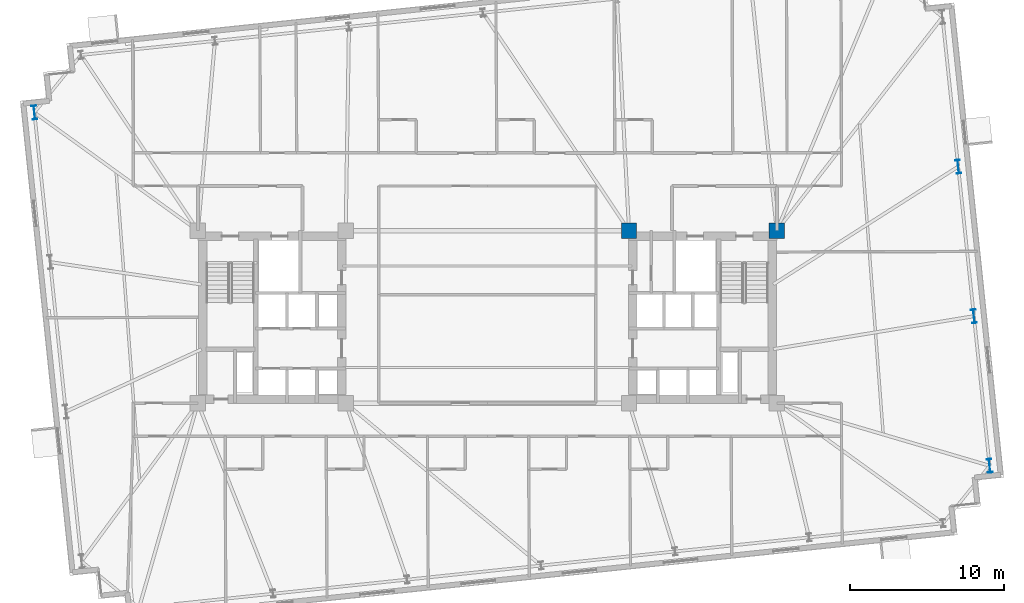
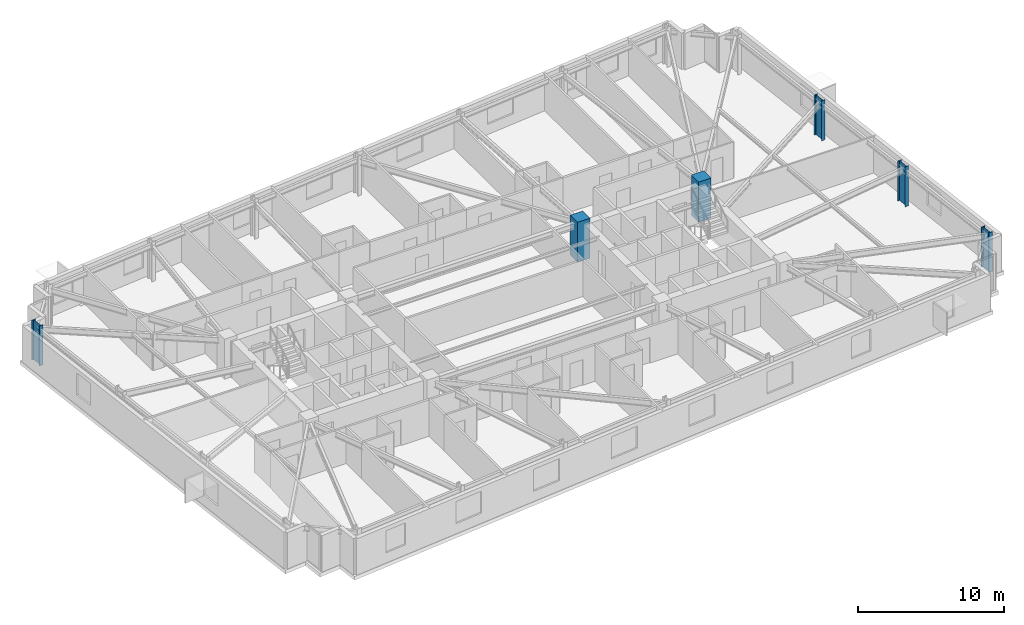
# One storey, part 2 of 19: 6 columns.
"""IFC4 building model written with IfcOpenShell, lengths in metres."""

import ifcopenshell
import ifcopenshell.guid

model = None  # the IFC model being written
_history = None  # IfcOwnerHistory: only IFC2X3 demands one
_inside = {}  # id of a spatial element -> (the spatial element, [elements in it])
_under = {}  # id of a project, library or spatial element -> (it, [spatial elements below it])
_declared = {}  # id of a project -> (the project, [libraries it declares])
_typed = {}  # id of a type object -> (the type object, [elements of that type])
_made_of = {}  # id of a material, layer set ... -> (it, [elements and type objects made of it])


def new_model(schema):
    """Start an empty IFC model of exactly this schema.

    Asked for "IFC4X3", IfcOpenShell would pick the latest addendum, in which some entities
    have other attributes; the version numbers below select the first issue.
    IFC2X3 requires an IfcOwnerHistory on every rooted entity: one is made here for all.
    """
    global model, _history
    if schema == "IFC4X3":
        model = ifcopenshell.file(schema_version=(4, 3, 0, 0))
    else:
        model = ifcopenshell.file(schema=schema)
    _inside.clear()
    _under.clear()
    _declared.clear()
    _typed.clear()
    _made_of.clear()
    _history = None
    if model.schema == "IFC2X3":
        org = make("IfcOrganization", Name="unknown")
        user = make(
            "IfcPersonAndOrganization",
            ThePerson=make("IfcPerson", FamilyName="unknown"),
            TheOrganization=org,
        )
        app = make(
            "IfcApplication",
            ApplicationDeveloper=org,
            Version="unknown",
            ApplicationFullName="unknown",
            ApplicationIdentifier="unknown",
        )
        _history = make(
            "IfcOwnerHistory",
            OwningUser=user,
            OwningApplication=app,
            ChangeAction="ADDED",
            CreationDate=0,
        )
    return model


def make(cls, **values):
    """One entity of the class cls with the attributes given. An attribute that is None is left unset."""
    return model.create_entity(
        cls, **{name: value for name, value in values.items() if value is not None}
    )


def rooted(cls, **values):
    """An entity with a GlobalId (a new one), such as an element, a storey or a relation."""
    return make(cls, GlobalId=ifcopenshell.guid.new(), OwnerHistory=_history, **values)


def si_unit(unit_type, name, prefix=None):
    """IfcSIUnit, for example si_unit("LENGTHUNIT", "METRE", prefix="MILLI")."""
    return make("IfcSIUnit", UnitType=unit_type, Prefix=prefix, Name=name)


def assignment(units):
    """IfcUnitAssignment: the units of a project."""
    return None if units is None else make("IfcUnitAssignment", Units=units)


def point(xyz):
    """IfcCartesianPoint."""
    return None if xyz is None else make("IfcCartesianPoint", Coordinates=xyz)


def direction(xyz):
    """IfcDirection."""
    return None if xyz is None else make("IfcDirection", DirectionRatios=xyz)


def frame(location, z_axis=None, x_axis=None):
    """IfcAxis2Placement3D, a coordinate frame: its origin and axes. An axis left out is left unset."""
    return make(
        "IfcAxis2Placement3D",
        Location=point(location),
        Axis=direction(z_axis),
        RefDirection=direction(x_axis),
    )


def frame_2d(location, x_axis=None):
    """IfcAxis2Placement2D, a coordinate frame in the plane: its origin and x axis."""
    return make(
        "IfcAxis2Placement2D", Location=point(location), RefDirection=direction(x_axis)
    )


def origin():
    """The frame at (0, 0, 0) with its axes left unset."""
    return frame((0.0, 0.0, 0.0))


def origin_2d():
    """The frame at (0, 0) in the plane with its x axis left unset."""
    return frame_2d((0.0, 0.0))


def place(relative_to, where):
    """IfcLocalPlacement: puts the frame where relative to a parent placement (None: the world)."""
    return make(
        "IfcLocalPlacement", PlacementRelTo=relative_to, RelativePlacement=where
    )


def context(
    kind, dimensions, precision=None, world=None, true_north=None, identifier=None
):
    """IfcGeometricRepresentationContext, for example the 3D "Model" context."""
    return make(
        "IfcGeometricRepresentationContext",
        ContextIdentifier=identifier,
        ContextType=kind,
        CoordinateSpaceDimension=dimensions,
        Precision=precision,
        WorldCoordinateSystem=world,
        TrueNorth=true_north,
    )


def subcontext(parent, identifier, kind, view, scale=None):
    """IfcGeometricRepresentationSubContext, for example "Body" below "Model"."""
    return make(
        "IfcGeometricRepresentationSubContext",
        ContextIdentifier=identifier,
        ContextType=kind,
        ParentContext=parent,
        TargetScale=scale,
        TargetView=view,
    )


def project(units=None, contexts=None):
    """IfcProject with its units and contexts."""
    return rooted(
        "IfcProject",
        Name="project",
        RepresentationContexts=contexts,
        UnitsInContext=assignment(units),
    )


def spatial(cls, under=None, at=None, **own):
    """A site, building, storey or space (cls), placed at a placement, below another one or the project."""
    s = rooted(cls, ObjectPlacement=at, **own)
    if under is not None:
        _under.setdefault(under.id(), (under, []))[1].append(s)
    return s


def profile(cls, at=None, kind="AREA", **sizes):
    """A parametric profile (cls). Its sizes go by their IFC names, for example OverallWidth=200.0."""
    return make(cls, ProfileType=kind, Position=at, **sizes)


def rectangle(**sizes):
    """IfcRectangleProfileDef."""
    return profile("IfcRectangleProfileDef", **sizes)


def i_section(**sizes):
    """IfcIShapeProfileDef."""
    return profile("IfcIShapeProfileDef", **sizes)


def extrude(swept, where, along, depth):
    """IfcExtrudedAreaSolid: the profile swept, set in the frame where, extruded along a direction by depth."""
    return make(
        "IfcExtrudedAreaSolid",
        SweptArea=swept,
        Position=where,
        ExtrudedDirection=direction(along),
        Depth=depth,
    )


def shape(context_of_items, identifier, shape_type, items):
    """IfcShapeRepresentation: the items that make up one representation, for example the "Body"."""
    return make(
        "IfcShapeRepresentation",
        ContextOfItems=context_of_items,
        RepresentationIdentifier=identifier,
        RepresentationType=shape_type,
        Items=items,
    )


def material(Name=None, Category=None):
    """IfcMaterial."""
    return make("IfcMaterial", Name=Name, Category=Category)


def material_profile(
    of_material, cross_section, Name=None, Category=None, Priority=None
):
    """IfcMaterialProfile: a cross section and its material."""
    return make(
        "IfcMaterialProfile",
        Name=Name,
        Material=of_material,
        Profile=cross_section,
        Priority=Priority,
        Category=Category,
    )


def profile_set(profiles, Name=None, composite=None):
    """IfcMaterialProfileSet."""
    return make(
        "IfcMaterialProfileSet",
        Name=Name,
        MaterialProfiles=profiles,
        CompositeProfile=composite,
    )


def made_of(thing, what):
    """Note that an element or type object is made of a material, layer set ...; save() writes the relation."""
    if what is not None:
        _made_of.setdefault(what.id(), (what, []))[1].append(thing)
    return thing


def type_object(cls, material=None, **own):
    """A type object (cls), such as IfcWallType, which elements share."""
    return made_of(rooted(cls, **own), material)


def element(
    cls,
    number,
    at=None,
    inside=None,
    cuts=None,
    type_object=None,
    material=None,
    context=None,
    identifier="Body",
    shape_type=None,
    held_by="IfcProductDefinitionShape",
    body=None,
    shapes=None,
    **own,
):
    """One element of the class cls, such as IfcWall. Its Tag is "e" and its number.

    at: its placement. inside: the storey or other place that contains it. cuts: it is an
    opening in that element (IfcRelVoidsElement). A single representation is given by context,
    identifier, shape_type and body (its items); several are given by shapes. held_by: the class
    of the entity that holds the representations. save() writes the other relations.
    """
    e = rooted(cls, Tag="e%d" % number, ObjectPlacement=at, **own)
    if body is not None:
        shapes = [shape(context, identifier, shape_type, body)]
    if shapes is not None:
        e.Representation = make(held_by, Representations=shapes)
    if inside is not None:
        _inside.setdefault(inside.id(), (inside, []))[1].append(e)
    if cuts is not None:
        rooted(
            "IfcRelVoidsElement", RelatingBuildingElement=cuts, RelatedOpeningElement=e
        )
    if type_object is not None:
        _typed.setdefault(type_object.id(), (type_object, []))[1].append(e)
    return made_of(e, material)


def aggregate(whole, parts):
    """IfcRelAggregates: a whole, such as a stair, and the parts it consists of."""
    return rooted("IfcRelAggregates", RelatingObject=whole, RelatedObjects=parts)


def save(model, path):
    """Write the relations noted so far, then the file.

    IfcRelAggregates (storeys below a building ...), IfcRelContainedInSpatialStructure (elements
    in a storey), IfcRelDefinesByType, IfcRelAssociatesMaterial and IfcRelDeclares: one each for
    every whole, place, type object, material and project.
    """
    for whole, parts in _under.values():
        aggregate(whole, parts)
    for where, things in _inside.values():
        rooted(
            "IfcRelContainedInSpatialStructure",
            RelatedElements=things,
            RelatingStructure=where,
        )
    for kind, things in _typed.values():
        rooted("IfcRelDefinesByType", RelatedObjects=things, RelatingType=kind)
    for what, things in _made_of.values():
        rooted("IfcRelAssociatesMaterial", RelatedObjects=things, RelatingMaterial=what)
    for by, libraries in _declared.values():
        rooted("IfcRelDeclares", RelatingContext=by, RelatedDefinitions=libraries)
    model.write(path)


model = new_model("IFC4")

# Units and contexts
model_context = context("Model", 3, precision=1e-05, world=origin(), true_north=direction((0.0, 1.0)))
body_context = subcontext(model_context, "Body", "Model", "MODEL_VIEW")
ifc_project = project(units=[si_unit("LENGTHUNIT", "METRE"), si_unit("AREAUNIT", "SQUARE_METRE"), si_unit("VOLUMEUNIT", "CUBIC_METRE"), si_unit("PLANEANGLEUNIT", "RADIAN"), si_unit("MASSUNIT", "GRAM", prefix="KILO")], contexts=[model_context])

# Site, building, storey
site_placement = place(None, origin())
site = spatial("IfcSite", under=ifc_project, at=site_placement, CompositionType="ELEMENT")
building_placement = place(site_placement, origin())
building = spatial("IfcBuilding", under=site, at=building_placement, Name="Qobustan Lattice House", CompositionType="ELEMENT")
storey_placement = place(building_placement, frame((0.0, 0.0, 115.85009765625)))
storey = spatial("IfcBuildingStorey", under=building, at=storey_placement, Name="L32", CompositionType="ELEMENT", Elevation=115.85009765625)

# Columns
ifc_material_1 = material(Name="Concrete C60/75", Category="concrete")
ifc_material_profile_1 = material_profile(ifc_material_1, rectangle(XDim=1.0, YDim=1.0, at=origin_2d()), Name="RC1000x1000")
ifc_profile_set_1 = profile_set([ifc_material_profile_1], Name="Concrete C60/75")
column_type_1 = type_object("IfcColumnType", Name="COL-RC-1000", PredefinedType="COLUMN", material=ifc_profile_set_1)
for number, where, z_axis, x_axis, name in (
    (1, (9.199951171875, 5.60009765625, 0.0), (0.0, 0.0, 1.0), (1.0, 0.0, 0.0), "L32 core mega-column CE-NW"),
    (2, (18.800048828125, 5.60009765625, 0.0), (0.0, 0.0, 1.0), (1.0, 0.0, 0.0), "L32 core mega-column CE-NE"),
):
    element("IfcColumn", number, at=place(storey_placement, frame(where, z_axis=z_axis, x_axis=x_axis)), inside=storey, type_object=column_type_1, Name=name, PredefinedType="COLUMN", context=body_context, shape_type="SweptSolid", body=[
        extrude(rectangle(XDim=1.0, YDim=1.0, at=origin_2d()), origin(), (0.0, 0.0, 1.0), 3.349853515625),
    ])
ifc_material_2 = material(Name="Steel S355", Category="steel")
ifc_material_profile_2 = material_profile(ifc_material_2, i_section(OverallWidth=0.300048828125, OverallDepth=0.89990234375, WebThickness=0.0185546875, FlangeThickness=0.034912109375, FilletRadius=0.030029296875, at=origin_2d()), Name="HEB900")
ifc_profile_set_2 = profile_set([ifc_material_profile_2], Name="Steel S355")
column_type_2 = type_object("IfcColumnType", Name="COL-ST-HEB900", PredefinedType="COLUMN", material=ifc_profile_set_2)
for number, where, z_axis, x_axis, name in (
    (3, (32.618896484375, -9.67041015625, 0.0), (0.0, 0.0, 1.0), (0.994521895368, 0.104528463268, 0.0), "L32 B2 perimeter column E1"),
    (4, (31.597900390625, 0.042724609375, 0.0), (0.0, 0.0, 1.0), (0.994521895368, 0.104528463268, 0.0), "L32 B2 perimeter column E2"),
    (5, (30.5771484375, 9.755859375, 0.0), (0.0, 0.0, 1.0), (0.994521895368, 0.104528463268, 0.0), "L32 B2 perimeter column E3"),
    (6, (-29.4189453125, 13.2705078125, 0.0), (0.0, 0.0, 1.0), (0.994521895368, 0.104528463268, 0.0), "L32 B2 perimeter column W1"),
):
    element("IfcColumn", number, at=place(storey_placement, frame(where, z_axis=z_axis, x_axis=x_axis)), inside=storey, type_object=column_type_2, Name=name, PredefinedType="COLUMN", context=body_context, shape_type="SweptSolid", body=[
        extrude(i_section(OverallWidth=0.300048828125, OverallDepth=0.89990234375, WebThickness=0.0185546875, FlangeThickness=0.034912109375, FilletRadius=0.030029296875, at=origin_2d()), origin(), (0.0, 0.0, 1.0), 3.349853515625),
    ])

save(model, "model.ifc")
